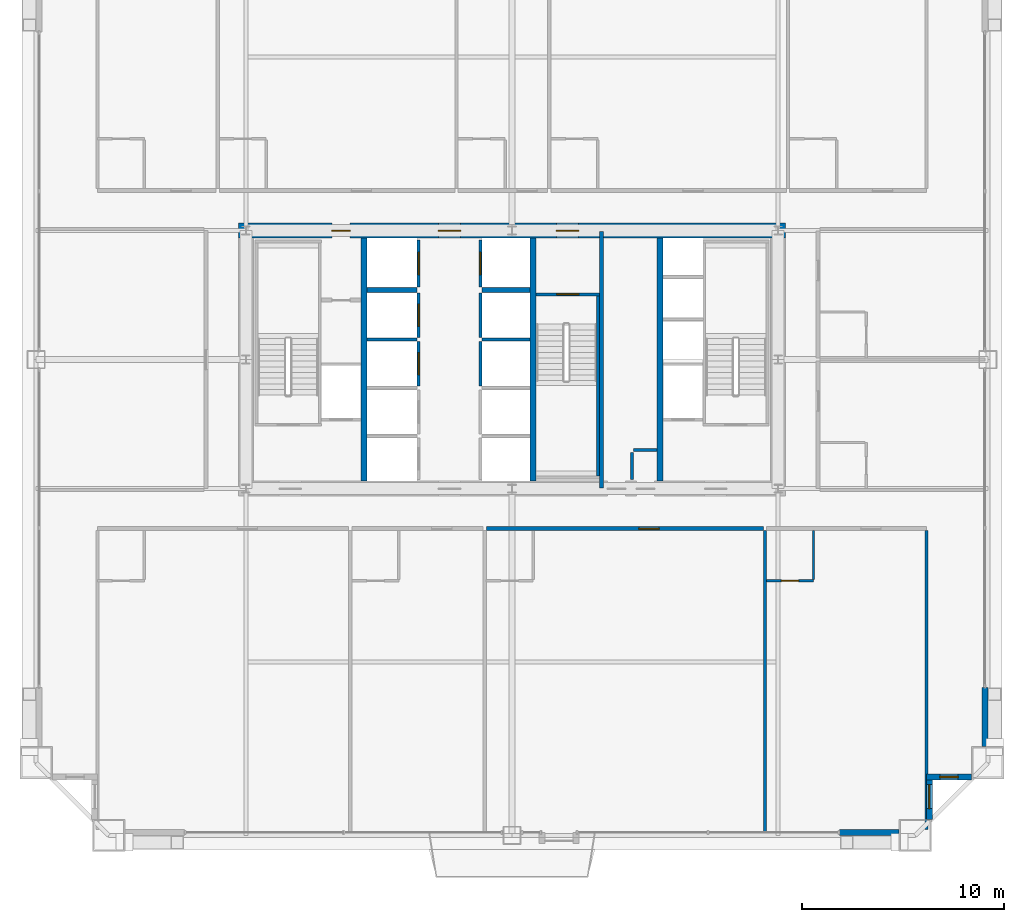
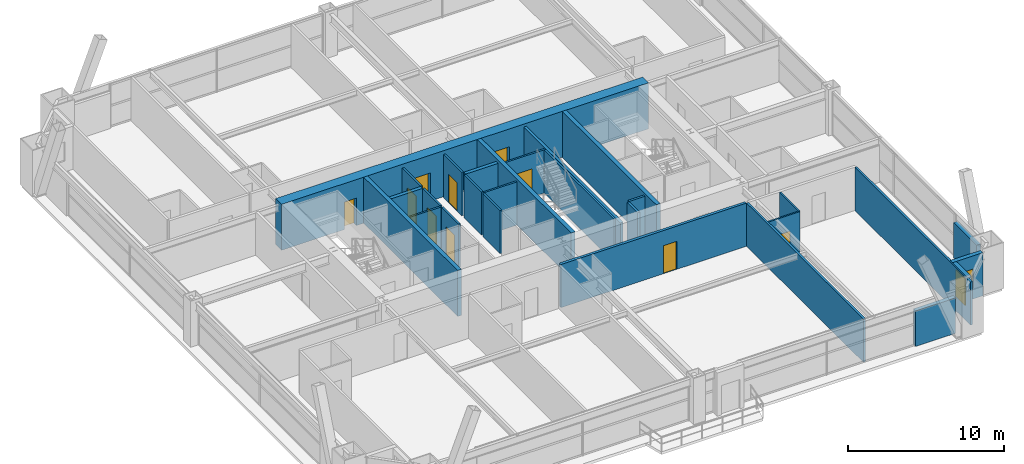
# One storey, part 38 of 41: 28 walls, 10 doors, 2 windows, 12 openings.
"""IFC4 building model written with IfcOpenShell, lengths in metres."""

from ifc_helpers import new_model, si_unit, direction, frame, frame_2d, origin, place, context, subcontext, project, spatial, rectangle, extrude, source, transform, mapped, material, layer, layer_set, type_object, element, fill, save


model = new_model("IFC4")

# Units and contexts
model_context = context("Model", 3, precision=1e-05, world=origin(), true_north=direction((0.0, 1.0)))
body_context = subcontext(model_context, "Body", "Model", "MODEL_VIEW")
ifc_project = project(units=[si_unit("LENGTHUNIT", "METRE"), si_unit("AREAUNIT", "SQUARE_METRE"), si_unit("VOLUMEUNIT", "CUBIC_METRE"), si_unit("PLANEANGLEUNIT", "RADIAN"), si_unit("MASSUNIT", "GRAM", prefix="KILO"), si_unit("THERMODYNAMICTEMPERATUREUNIT", "KELVIN"), si_unit("POWERUNIT", "WATT")], contexts=[model_context])

# Site, building, storey
site_placement = place(None, origin())
site = spatial("IfcSite", under=ifc_project, at=site_placement, CompositionType="ELEMENT")
building_placement = place(site_placement, origin())
building = spatial("IfcBuilding", under=site, at=building_placement, Name="Yuzanri Waterfront Tower", CompositionType="ELEMENT")
storey_placement = place(building_placement, frame((0.0, 0.0, 122.60009765625)))
storey = spatial("IfcBuildingStorey", under=building, at=storey_placement, Name="L32", CompositionType="ELEMENT", Elevation=122.60009765625)

# Wall, opening, door
ifc_material_1 = material(Name="Moisture-Resistant Gypsum Stud Wall", Category="gypsum")
ifc_layer_1 = layer(ifc_material_1, 0.1201171875)
ifc_layer_set_1 = layer_set([ifc_layer_1], Name="Moisture-Resistant Gypsum Stud Wall")
wall_type_1 = type_object("IfcWallType", Name="Bathroom and Kitchen Wet Partition 120", PredefinedType="PARTITIONING", material=ifc_layer_set_1)
wall_1_placement = place(storey_placement, frame((49.6220703125, 14.840087890625, 0.0), z_axis=(0.0, 0.0, 1.0), x_axis=(1.0, 0.0, 0.0)))
wall_1 = element("IfcWall", 1, at=wall_1_placement, inside=storey, type_object=wall_type_1, Name="L32 Partition UW-L32-S4-BS", PredefinedType="PARTITIONING", context=body_context, shape_type="SweptSolid", body=[
    extrude(rectangle(XDim=2.329833984375, YDim=0.1201171875, at=frame_2d((1.1650390625, 0.0))), origin(), (0.0, 0.0, 1.0), 3.3798828125),
])
opening_1_placement = place(wall_1_placement, frame((0.739990234375, 0.0, 0.0)))
opening_1 = element("IfcOpeningElement", 2, at=opening_1_placement, cuts=wall_1, Name="Opening ID-0850", PredefinedType="OPENING", context=body_context, shape_type="SweptSolid", body=[
    extrude(rectangle(XDim=0.85009765625, YDim=2.10009765625, at=frame_2d((0.425048828125, 1.050048828125))), frame((0.0, 0.074951171875, 0.0), z_axis=(0.0, -1.0, 0.0), x_axis=(1.0, 0.0, 0.0)), (0.0, 0.0, 1.0), 0.14990234375),
])
ifc_material_2 = material(Name="Moisture-Resistant Lacquered Timber", Category="wood")
door_type_1 = type_object("IfcDoorType", Name="En-Suite Bathroom and Kitchen Swing Door 850x2100", OperationType="NOTDEFINED", PredefinedType="DOOR", material=ifc_material_2)
shared_shape_1 = source(origin(), body_context, "Body", "SweptSolid", [
    extrude(rectangle(XDim=0.85009765625, YDim=2.10009765625, at=frame_2d((0.425048828125, 1.050048828125))), frame((0.0, 0.02490234375, 0.0), z_axis=(0.0, -1.0, 0.0), x_axis=(1.0, 0.0, 0.0)), (0.0, 0.0, 1.0), 0.050048828125),
])
door_1_placement = place(opening_1_placement, origin())
door_1 = element("IfcDoor", 3, at=door_1_placement, inside=storey, type_object=door_type_1, Name="L32 Guest En-Suite Door", OperationType="SINGLE_SWING_RIGHT", OverallHeight=2.10009765625, OverallWidth=0.85009765625, PredefinedType="DOOR", context=body_context, shape_type="MappedRepresentation", body=[
    mapped(shared_shape_1, transform((0.0, 0.0, 0.0), scale=1.0)),
])
fill(opening_1, door_1)

# Wall, opening, window
ifc_material_3 = material(Name="Honed Chongqing Dark Basalt Stone", Category="masonry")
ifc_layer_2 = layer(ifc_material_3, 0.300048828125)
ifc_layer_set_2 = layer_set([ifc_layer_2], Name="Honed Chongqing Dark Basalt Stone")
wall_type_2 = type_object("IfcWallType", Name="Bronze Rainscreen Insulated Spandrel Portal Wall 300", PredefinedType="SOLIDWALL", material=ifc_layer_set_2)
wall_2_placement = place(storey_placement, frame((57.550048828125, 5.10009765625, 0.0), z_axis=(0.0, 0.0, 1.0), x_axis=(1.0, 0.0, 0.0)))
wall_2 = element("IfcWall", 4, at=wall_2_placement, inside=storey, type_object=wall_type_2, Name="L32 Notched Corner Masonry Wall SE-X", PredefinedType="SOLIDWALL", context=body_context, shape_type="SweptSolid", body=[
    extrude(rectangle(XDim=2.25, YDim=0.300048828125, at=frame_2d((1.125, 0.0))), origin(), (0.0, 0.0, 1.0), 3.3798828125),
])
opening_2_placement = place(wall_2_placement, frame((0.675048828125, 0.0, 0.85009765625)))
opening_2 = element("IfcOpeningElement", 5, at=opening_2_placement, cuts=wall_2, Name="Opening WN-05", PredefinedType="OPENING", context=body_context, shape_type="SweptSolid", body=[
    extrude(rectangle(XDim=0.89990234375, YDim=1.5, at=frame_2d((0.449951171875, 0.75))), frame((0.0, 0.1650390625, 0.0), z_axis=(0.0, -1.0, 0.0), x_axis=(1.0, 0.0, 0.0)), (0.0, 0.0, 1.0), 0.329833984375),
])
ifc_material_4 = material(Name="Double-Silver Low-E Insulated Glass", Category="glass")
window_type_1 = type_object("IfcWindowType", Name="Anodized Bronze Service and Stairwell Smoke-Vent Window 900x1500", PartitioningType="SINGLE_PANEL", PredefinedType="WINDOW", material=ifc_material_4)
shared_shape_2 = source(origin(), body_context, "Body", "SweptSolid", [
    extrude(rectangle(XDim=0.89990234375, YDim=1.5, at=frame_2d((0.449951171875, 0.75))), frame((0.0, 0.030029296875, 0.0), z_axis=(0.0, -1.0, 0.0), x_axis=(1.0, 0.0, 0.0)), (0.0, 0.0, 1.0), 0.06005859375),
])
window_1_placement = place(opening_2_placement, origin())
window_1 = element("IfcWindow", 6, at=window_1_placement, inside=storey, type_object=window_type_1, Name="L32 Notched Corner Window SE-X", OverallHeight=1.5, OverallWidth=0.89990234375, PartitioningType="SINGLE_PANEL", PredefinedType="WINDOW", context=body_context, shape_type="MappedRepresentation", body=[
    mapped(shared_shape_2, transform((0.0, 0.0, 0.0), scale=1.0)),
])
fill(opening_2, window_1)

wall_3_placement = place(storey_placement, frame((57.699951171875, 3.0, 0.0), z_axis=(0.0, 0.0, 1.0), x_axis=(0.0, 1.0, 0.0)))
wall_3 = element("IfcWall", 7, at=wall_3_placement, inside=storey, type_object=wall_type_2, Name="L32 Notched Corner Masonry Wall SE-Y", PredefinedType="SOLIDWALL", context=body_context, shape_type="SweptSolid", body=[
    extrude(rectangle(XDim=2.25, YDim=0.300048828125, at=frame_2d((1.125, 0.0))), origin(), (0.0, 0.0, 1.0), 3.3798828125),
])
opening_3_placement = place(wall_3_placement, frame((0.52490234375, 0.0, 0.85009765625)))
opening_3 = element("IfcOpeningElement", 8, at=opening_3_placement, cuts=wall_3, Name="Opening WN-02", PredefinedType="OPENING", context=body_context, shape_type="SweptSolid", body=[
    extrude(rectangle(XDim=1.199951171875, YDim=2.10009765625, at=frame_2d((0.60009765625, 1.050048828125))), frame((0.0, 0.1650390625, 0.0), z_axis=(0.0, -1.0, 0.0), x_axis=(1.0, 0.0, 0.0)), (0.0, 0.0, 1.0), 0.329833984375),
])
ifc_material_5 = material(Name="Double-Silver Low-E Insulated Glass", Category="glass")
window_type_2 = type_object("IfcWindowType", Name="Anodized Bronze Notched Corner Deep-Set Slot Window 1200x2100", PartitioningType="SINGLE_PANEL", PredefinedType="WINDOW", material=ifc_material_5)
shared_shape_3 = source(origin(), body_context, "Body", "SweptSolid", [
    extrude(rectangle(XDim=1.199951171875, YDim=2.10009765625, at=frame_2d((0.60009765625, 1.050048828125))), frame((0.0, 0.030029296875, 0.0), z_axis=(0.0, -1.0, 0.0), x_axis=(1.0, 0.0, 0.0)), (0.0, 0.0, 1.0), 0.06005859375),
])
window_2_placement = place(opening_3_placement, origin())
window_2 = element("IfcWindow", 9, at=window_2_placement, inside=storey, type_object=window_type_2, Name="L32 Notched Corner Window SE-Y", OverallHeight=2.10009765625, OverallWidth=1.199951171875, PartitioningType="SINGLE_PANEL", PredefinedType="WINDOW", context=body_context, shape_type="MappedRepresentation", body=[
    mapped(shared_shape_3, transform((0.0, 0.0, 0.0), scale=1.0)),
])
fill(opening_3, window_2)

# Wall, openings, doors
ifc_material_6 = material(Name="Concrete C55", Category="concrete")
ifc_layer_3 = layer(ifc_material_6, 0.75)
ifc_layer_set_3 = layer_set([ifc_layer_3], Name="Concrete C55")
wall_type_3 = type_object("IfcWallType", Name="Concrete C55 Low-Mid Zone Core Shear Wall 750", PredefinedType="SHEAR", material=ifc_layer_set_3)
wall_4_placement = place(storey_placement, frame((23.425048828125, 32.199951171875, 0.0), z_axis=(0.0, 0.0, 1.0), x_axis=(1.0, 0.0, 0.0)))
wall_4 = element("IfcWall", 10, at=wall_4_placement, inside=storey, type_object=wall_type_3, Name="L32 Core North Shear Wall", PredefinedType="SHEAR", context=body_context, shape_type="SweptSolid", body=[
    extrude(rectangle(XDim=27.14990234375, YDim=0.75, at=frame_2d((13.574951171875, 0.0))), origin(), (0.0, 0.0, 1.0), 3.599853515625),
])
opening_4_placement = place(wall_4_placement, frame((4.64501953125, 0.0, 0.0)))
opening_4 = element("IfcOpeningElement", 11, at=opening_4_placement, cuts=wall_4, Name="Opening FD-0900", PredefinedType="OPENING", context=body_context, shape_type="SweptSolid", body=[
    extrude(rectangle(XDim=0.89990234375, YDim=2.14990234375, at=frame_2d((0.449951171875, 1.074951171875))), frame((0.0, 0.389892578125, 0.0), z_axis=(0.0, -1.0, 0.0), x_axis=(1.0, 0.0, 0.0)), (0.0, 0.0, 1.0), 0.77978515625),
])
opening_5_placement = place(wall_4_placement, frame((9.925048828125, 0.0, 0.0)))
opening_5 = element("IfcOpeningElement", 12, at=opening_5_placement, cuts=wall_4, Name="Opening FD-1100", PredefinedType="OPENING", context=body_context, shape_type="SweptSolid", body=[
    extrude(rectangle(XDim=1.10009765625, YDim=2.199951171875, at=frame_2d((0.550048828125, 1.10009765625))), frame((0.0, 0.389892578125, 0.0), z_axis=(0.0, -1.0, 0.0), x_axis=(1.0, 0.0, 0.0)), (0.0, 0.0, 1.0), 0.77978515625),
])
opening_6_placement = place(wall_4_placement, frame((15.77490234375, 0.0, 0.0)))
opening_6 = element("IfcOpeningElement", 13, at=opening_6_placement, cuts=wall_4, Name="Opening FD-1100", PredefinedType="OPENING", context=body_context, shape_type="SweptSolid", body=[
    extrude(rectangle(XDim=1.10009765625, YDim=2.199951171875, at=frame_2d((0.550048828125, 1.10009765625))), frame((0.0, 0.389892578125, 0.0), z_axis=(0.0, -1.0, 0.0), x_axis=(1.0, 0.0, 0.0)), (0.0, 0.0, 1.0), 0.77978515625),
])
ifc_material_7 = material(Name="Painted Galvanized Fire Steel", Category="steel")
door_type_2 = type_object("IfcDoorType", Name="Smoke-Proof Stair and Lobby Fire Door 1100x2200", OperationType="NOTDEFINED", PredefinedType="DOOR", material=ifc_material_7)
shared_shape_4 = source(origin(), body_context, "Body", "SweptSolid", [
    extrude(rectangle(XDim=1.10009765625, YDim=2.199951171875, at=frame_2d((0.550048828125, 1.10009765625))), frame((0.0, 0.02490234375, 0.0), z_axis=(0.0, -1.0, 0.0), x_axis=(1.0, 0.0, 0.0)), (0.0, 0.0, 1.0), 0.050048828125),
])
door_2_placement = place(opening_5_placement, origin())
door_2 = element("IfcDoor", 14, at=door_2_placement, inside=storey, type_object=door_type_2, Name="L32 Central Lift Lobby North Door", OperationType="SINGLE_SWING_RIGHT", OverallHeight=2.199951171875, OverallWidth=1.10009765625, PredefinedType="DOOR", context=body_context, shape_type="MappedRepresentation", body=[
    mapped(shared_shape_4, transform((0.0, 0.0, 0.0), scale=1.0)),
])
fill(opening_5, door_2)
door_3_placement = place(opening_6_placement, origin())
door_3 = element("IfcDoor", 15, at=door_3_placement, inside=storey, type_object=door_type_2, Name="L32 North Stair Lobby Door", OperationType="SINGLE_SWING_LEFT", OverallHeight=2.199951171875, OverallWidth=1.10009765625, PredefinedType="DOOR", context=body_context, shape_type="MappedRepresentation", body=[
    mapped(shared_shape_4, transform((0.0, 0.0, 0.0), scale=1.0)),
])
fill(opening_6, door_3)
ifc_material_8 = material(Name="Painted Galvanized Fire Steel", Category="steel")
door_type_3 = type_object("IfcDoorType", Name="Riser and Service Room Fire Door 900x2150", OperationType="NOTDEFINED", PredefinedType="DOOR", material=ifc_material_8)
shared_shape_5 = source(origin(), body_context, "Body", "SweptSolid", [
    extrude(rectangle(XDim=0.89990234375, YDim=2.14990234375, at=frame_2d((0.449951171875, 1.074951171875))), frame((0.0, 0.02490234375, 0.0), z_axis=(0.0, -1.0, 0.0), x_axis=(1.0, 0.0, 0.0)), (0.0, 0.0, 1.0), 0.050048828125),
])
door_4_placement = place(opening_4_placement, origin())
door_4 = element("IfcDoor", 16, at=door_4_placement, inside=storey, type_object=door_type_3, Name="L32 Telecom Riser Door", OperationType="SINGLE_SWING_LEFT", OverallHeight=2.14990234375, OverallWidth=0.89990234375, PredefinedType="DOOR", context=body_context, shape_type="MappedRepresentation", body=[
    mapped(shared_shape_5, transform((0.0, 0.0, 0.0), scale=1.0)),
])
fill(opening_4, door_4)

# Wall, opening, door
ifc_material_9 = material(Name="Concrete C40", Category="concrete")
ifc_layer_4 = layer(ifc_material_9, 0.139892578125)
ifc_layer_set_4 = layer_set([ifc_layer_4], Name="Concrete C40")
wall_type_4 = type_object("IfcWallType", Name="Core Stair Liner and Hoistway Shaft Wall 140", PredefinedType="SOLIDWALL", material=ifc_layer_set_4)
wall_5_placement = place(storey_placement, frame((32.3701171875, 24.5, 0.0), z_axis=(0.0, 0.0, 1.0), x_axis=(0.0, 1.0, 0.0)))
wall_5 = element("IfcWall", 17, at=wall_5_placement, inside=storey, type_object=wall_type_4, Name="L32 Lift PL-03 Front Shaft Wall", PredefinedType="SOLIDWALL", context=body_context, shape_type="SweptSolid", body=[
    extrude(rectangle(XDim=2.199951171875, YDim=0.139892578125, at=frame_2d((1.10009765625, 0.0))), origin(), (0.0, 0.0, 1.0), 3.3798828125),
])
opening_7_placement = place(wall_5_placement, frame((0.550048828125, 0.0, 0.0)))
opening_7 = element("IfcOpeningElement", 18, at=opening_7_placement, cuts=wall_5, Name="Opening LD-PL-03", PredefinedType="OPENING", context=body_context, shape_type="SweptSolid", body=[
    extrude(rectangle(XDim=1.10009765625, YDim=2.199951171875, at=frame_2d((0.550048828125, 1.10009765625))), frame((0.0, 0.0849609375, 0.0), z_axis=(0.0, -1.0, 0.0), x_axis=(1.0, 0.0, 0.0)), (0.0, 0.0, 1.0), 0.169677734375),
])
ifc_material_10 = material(Name="Brushed Bronze and Stainless Steel Cab", Category="steel")
door_type_4 = type_object("IfcDoorType", Name="Center-Parting Bronze Lift Landing Sliding Door 1100x2200", OperationType="NOTDEFINED", PredefinedType="DOOR", material=ifc_material_10)
shared_shape_6 = source(origin(), body_context, "Body", "SweptSolid", [
    extrude(rectangle(XDim=1.10009765625, YDim=2.199951171875, at=frame_2d((0.550048828125, 1.10009765625))), frame((0.0, 0.02490234375, 0.0), z_axis=(0.0, -1.0, 0.0), x_axis=(1.0, 0.0, 0.0)), (0.0, 0.0, 1.0), 0.050048828125),
])
door_5_placement = place(opening_7_placement, origin())
door_5 = element("IfcDoor", 19, at=door_5_placement, inside=storey, type_object=door_type_4, Name="L32 PL-03 Lift Landing Sliding Door", OperationType="SLIDING_TO_LEFT", OverallHeight=2.199951171875, OverallWidth=1.10009765625, PredefinedType="DOOR", context=body_context, shape_type="MappedRepresentation", body=[
    mapped(shared_shape_6, transform((0.0, 0.0, 0.0), scale=1.0)),
])
fill(opening_7, door_5)

wall_6_placement = place(storey_placement, frame((32.3701171875, 26.89990234375, 0.0), z_axis=(0.0, 0.0, 1.0), x_axis=(0.0, 1.0, 0.0)))
wall_6 = element("IfcWall", 20, at=wall_6_placement, inside=storey, type_object=wall_type_4, Name="L32 Lift PL-04 Front Shaft Wall", PredefinedType="SOLIDWALL", context=body_context, shape_type="SweptSolid", body=[
    extrude(rectangle(XDim=2.2001953125, YDim=0.139892578125, at=frame_2d((1.10009765625, 0.0))), origin(), (0.0, 0.0, 1.0), 3.3798828125),
])
opening_8_placement = place(wall_6_placement, frame((0.550048828125, 0.0, 0.0)))
opening_8 = element("IfcOpeningElement", 21, at=opening_8_placement, cuts=wall_6, Name="Opening LD-PL-04", PredefinedType="OPENING", context=body_context, shape_type="SweptSolid", body=[
    extrude(rectangle(XDim=1.10009765625, YDim=2.199951171875, at=frame_2d((0.550048828125, 1.10009765625))), frame((0.0, 0.0849609375, 0.0), z_axis=(0.0, -1.0, 0.0), x_axis=(1.0, 0.0, 0.0)), (0.0, 0.0, 1.0), 0.169677734375),
])
door_6_placement = place(opening_8_placement, origin())
door_6 = element("IfcDoor", 22, at=door_6_placement, inside=storey, type_object=door_type_4, Name="L32 PL-04 Lift Landing Sliding Door", OperationType="SLIDING_TO_RIGHT", OverallHeight=2.199951171875, OverallWidth=1.10009765625, PredefinedType="DOOR", context=body_context, shape_type="MappedRepresentation", body=[
    mapped(shared_shape_6, transform((0.0, 0.0, 0.0), scale=1.0)),
])
fill(opening_8, door_6)

wall_7_placement = place(storey_placement, frame((32.3701171875, 29.39990234375, 0.0), z_axis=(0.0, 0.0, 1.0), x_axis=(0.0, 1.0, 0.0)))
wall_7 = element("IfcWall", 23, at=wall_7_placement, inside=storey, type_object=wall_type_4, Name="L32 Lift SL-01 Front Shaft Wall", PredefinedType="SOLIDWALL", context=body_context, shape_type="SweptSolid", body=[
    extrude(rectangle(XDim=2.340087890625, YDim=0.139892578125, at=frame_2d((1.169921875, 0.0))), origin(), (0.0, 0.0, 1.0), 3.3798828125),
])
opening_9_placement = place(wall_7_placement, frame((0.6201171875, 0.0, 0.0)))
opening_9 = element("IfcOpeningElement", 24, at=opening_9_placement, cuts=wall_7, Name="Opening LD-SL-01", PredefinedType="OPENING", context=body_context, shape_type="SweptSolid", body=[
    extrude(rectangle(XDim=1.10009765625, YDim=2.199951171875, at=frame_2d((0.550048828125, 1.10009765625))), frame((0.0, 0.0849609375, 0.0), z_axis=(0.0, -1.0, 0.0), x_axis=(1.0, 0.0, 0.0)), (0.0, 0.0, 1.0), 0.169677734375),
])
door_7_placement = place(opening_9_placement, origin())
door_7 = element("IfcDoor", 25, at=door_7_placement, inside=storey, type_object=door_type_4, Name="L32 SL-01 Lift Landing Sliding Door", OperationType="SLIDING_TO_LEFT", OverallHeight=2.199951171875, OverallWidth=1.10009765625, PredefinedType="DOOR", context=body_context, shape_type="MappedRepresentation", body=[
    mapped(shared_shape_6, transform((0.0, 0.0, 0.0), scale=1.0)),
])
fill(opening_9, door_7)

wall_8_placement = place(storey_placement, frame((35.429931640625, 29.39990234375, 0.0), z_axis=(0.0, 0.0, 1.0), x_axis=(0.0, 1.0, 0.0)))
wall_8 = element("IfcWall", 26, at=wall_8_placement, inside=storey, type_object=wall_type_4, Name="L32 Lift SL-02 Front Shaft Wall", PredefinedType="SOLIDWALL", context=body_context, shape_type="SweptSolid", body=[
    extrude(rectangle(XDim=2.340087890625, YDim=0.139892578125, at=frame_2d((1.169921875, 0.0))), origin(), (0.0, 0.0, 1.0), 3.3798828125),
])
opening_10_placement = place(wall_8_placement, frame((0.6201171875, 0.0, 0.0)))
opening_10 = element("IfcOpeningElement", 27, at=opening_10_placement, cuts=wall_8, Name="Opening LD-SL-02", PredefinedType="OPENING", context=body_context, shape_type="SweptSolid", body=[
    extrude(rectangle(XDim=1.10009765625, YDim=2.199951171875, at=frame_2d((0.550048828125, 1.10009765625))), frame((0.0, 0.0849609375, 0.0), z_axis=(0.0, -1.0, 0.0), x_axis=(1.0, 0.0, 0.0)), (0.0, 0.0, 1.0), 0.169677734375),
])
door_8_placement = place(opening_10_placement, origin())
door_8 = element("IfcDoor", 28, at=door_8_placement, inside=storey, type_object=door_type_4, Name="L32 SL-02 Lift Landing Sliding Door", OperationType="SLIDING_TO_RIGHT", OverallHeight=2.199951171875, OverallWidth=1.10009765625, PredefinedType="DOOR", context=body_context, shape_type="MappedRepresentation", body=[
    mapped(shared_shape_6, transform((0.0, 0.0, 0.0), scale=1.0)),
])
fill(opening_10, door_8)

wall_9_placement = place(storey_placement, frame((38.199951171875, 29.030029296875, 0.0), z_axis=(0.0, 0.0, 1.0), x_axis=(1.0, 0.0, 0.0)))
wall_9 = element("IfcWall", 29, at=wall_9_placement, inside=storey, type_object=wall_type_4, Name="L32 Shaft Wall STW-L32-ST-03-N", PredefinedType="SOLIDWALL", context=body_context, shape_type="SweptSolid", body=[
    extrude(rectangle(XDim=3.14013671875, YDim=0.139892578125, at=frame_2d((1.570068359375, 0.0))), origin(), (0.0, 0.0, 1.0), 3.3798828125),
])
opening_11_placement = place(wall_9_placement, frame((1.02001953125, 0.0, 0.0)))
opening_11 = element("IfcOpeningElement", 30, at=opening_11_placement, cuts=wall_9, Name="Opening FD-1100", PredefinedType="OPENING", context=body_context, shape_type="SweptSolid", body=[
    extrude(rectangle(XDim=1.10009765625, YDim=2.199951171875, at=frame_2d((0.550048828125, 1.10009765625))), frame((0.0, 0.0849609375, 0.0), z_axis=(0.0, -1.0, 0.0), x_axis=(1.0, 0.0, 0.0)), (0.0, 0.0, 1.0), 0.169677734375),
])
door_9_placement = place(opening_11_placement, origin())
door_9 = element("IfcDoor", 31, at=door_9_placement, inside=storey, type_object=door_type_2, Name="L32 Stair ST-03 Fire Door", OperationType="SINGLE_SWING_LEFT", OverallHeight=2.199951171875, OverallWidth=1.10009765625, PredefinedType="DOOR", context=body_context, shape_type="MappedRepresentation", body=[
    mapped(shared_shape_4, transform((0.0, 0.0, 0.0), scale=1.0)),
])
fill(opening_11, door_9)

ifc_material_11 = material(Name="Autoclaved Aerated Concrete Blockwork", Category="masonry")
ifc_layer_5 = layer(ifc_material_11, 0.199951171875)
ifc_layer_set_5 = layer_set([ifc_layer_5], Name="Autoclaved Aerated Concrete Blockwork")
wall_type_5 = type_object("IfcWallType", Name="Corridor and Unit Party Fire Wall 200", PredefinedType="PARTITIONING", material=ifc_layer_set_5)
wall_10_placement = place(storey_placement, frame((35.722900390625, 17.419921875, 0.0), z_axis=(0.0, 0.0, 1.0), x_axis=(1.0, 0.0, 0.0)))
wall_10 = element("IfcWall", 32, at=wall_10_placement, inside=storey, type_object=wall_type_5, Name="L32 Partition UW-L32-S3-CN", PredefinedType="PARTITIONING", context=body_context, shape_type="SweptSolid", body=[
    extrude(rectangle(XDim=13.739013671875, YDim=0.199951171875, at=frame_2d((6.86962890625, 0.0))), origin(), (0.0, 0.0, 1.0), 3.3798828125),
])
opening_12_placement = place(wall_10_placement, frame((7.573974609375, 0.0, 0.0)))
opening_12 = element("IfcOpeningElement", 33, at=opening_12_placement, cuts=wall_10, Name="Opening FD-1000", PredefinedType="OPENING", context=body_context, shape_type="SweptSolid", body=[
    extrude(rectangle(XDim=1.0, YDim=2.199951171875, at=frame_2d((0.5, 1.10009765625))), frame((0.0, 0.11474609375, 0.0), z_axis=(0.0, -1.0, 0.0), x_axis=(1.0, 0.0, 0.0)), (0.0, 0.0, 1.0), 0.229736328125),
])
ifc_material_12 = material(Name="Engineered Oak Fire-Rated Timber", Category="wood")
door_type_5 = type_object("IfcDoorType", Name="Guestroom and Apartment Entrance Fire Door 1000x2200", OperationType="NOTDEFINED", PredefinedType="DOOR", material=ifc_material_12)
shared_shape_7 = source(origin(), body_context, "Body", "SweptSolid", [
    extrude(rectangle(XDim=1.0, YDim=2.199951171875, at=frame_2d((0.5, 1.10009765625))), frame((0.0, 0.02490234375, 0.0), z_axis=(0.0, -1.0, 0.0), x_axis=(1.0, 0.0, 0.0)), (0.0, 0.0, 1.0), 0.050048828125),
])
door_10_placement = place(opening_12_placement, origin())
door_10 = element("IfcDoor", 34, at=door_10_placement, inside=storey, type_object=door_type_5, Name="L32 Presidential Riverfront Suite Entrance Door", OperationType="SINGLE_SWING_LEFT", OverallHeight=2.199951171875, OverallWidth=1.0, PredefinedType="DOOR", context=body_context, shape_type="MappedRepresentation", body=[
    mapped(shared_shape_7, transform((0.0, 0.0, 0.0), scale=1.0)),
])
fill(opening_12, door_10)

# Walls
ifc_material_13 = material(Name="Concrete C50", Category="concrete")
ifc_layer_6 = layer(ifc_material_13, 0.300048828125)
ifc_layer_set_6 = layer_set([ifc_layer_6], Name="Concrete C50")
wall_type_6 = type_object("IfcWallType", Name="Concrete C50 Internal Core Shaft Structural Wall 300", PredefinedType="SOLIDWALL", material=ifc_layer_set_6)
shared_shape_8 = source(origin(), body_context, "Body", "SweptSolid", [
    extrude(rectangle(XDim=12.050048828125, YDim=0.300048828125, at=frame_2d((6.02490234375, 0.0))), origin(), (0.0, 0.0, 1.0), 3.599853515625),
])
for number, where, z_axis, x_axis, name in (
    (35, (29.64990234375, 19.77490234375, 0.0), (0.0, 0.0, 1.0), (0.0, 1.0, 0.0), "L32 Core Internal Structural Web Wall 1"),
    (36, (38.050048828125, 19.77490234375, 0.0), (0.0, 0.0, 1.0), (0.0, 1.0, 0.0), "L32 Core Internal Structural Web Wall 2"),
    (37, (44.35009765625, 19.77490234375, 0.0), (0.0, 0.0, 1.0), (0.0, 1.0, 0.0), "L32 Core Internal Structural Web Wall 3"),
):
    element("IfcWall", number, at=place(storey_placement, frame(where, z_axis=z_axis, x_axis=x_axis)), inside=storey, type_object=wall_type_6, Name=name, PredefinedType="SOLIDWALL", context=body_context, shape_type="MappedRepresentation", body=[
        mapped(shared_shape_8, transform((0.0, 0.0, 0.0), scale=1.0)),
    ])
shared_shape_9 = source(origin(), body_context, "Body", "SweptSolid", [
    extrude(rectangle(XDim=2.949951171875, YDim=0.300048828125, at=frame_2d((1.47509765625, 0.0))), origin(), (0.0, 0.0, 1.0), 2.77490234375),
])
for number, where, z_axis, x_axis, name in (
    (38, (53.25, 2.35009765625, 0.0), (0.0, 0.0, 1.0), (1.0, 0.0, 0.0), "L32 S Right Braced Masonry Shoulder"),
    (39, (60.449951171875, 6.60009765625, 0.0), (0.0, 0.0, 1.0), (0.0, 1.0, 0.0), "L32 E Left Braced Masonry Shoulder"),
):
    element("IfcWall", number, at=place(storey_placement, frame(where, z_axis=z_axis, x_axis=x_axis)), inside=storey, type_object=wall_type_2, Name=name, PredefinedType="SOLIDWALL", context=body_context, shape_type="MappedRepresentation", body=[
        mapped(shared_shape_9, transform((0.0, 0.0, 0.0), scale=1.0)),
    ])
shared_shape_10 = source(origin(), body_context, "Body", "SweptSolid", [
    extrude(rectangle(XDim=2.5, YDim=0.139892578125, at=frame_2d((1.25, 0.0))), origin(), (0.0, 0.0, 1.0), 3.3798828125),
])
wall_11_placement = place(storey_placement, frame((29.800048828125, 26.800048828125, 0.0), z_axis=(0.0, 0.0, 1.0), x_axis=(1.0, 0.0, 0.0)))
element("IfcWall", 40, at=wall_11_placement, inside=storey, type_object=wall_type_4, Name="L32 Lift PL-03 Divider Wall", PredefinedType="SOLIDWALL", context=body_context, shape_type="MappedRepresentation", body=[
    mapped(shared_shape_10, transform((0.0, 0.0, 0.0), scale=1.0)),
])
ifc_material_14 = material(Name="Concrete C40", Category="concrete")
ifc_layer_7 = layer(ifc_material_14, 0.25)
ifc_layer_set_7 = layer_set([ifc_layer_7], Name="Concrete C40")
wall_type_7 = type_object("IfcWallType", Name="Smoke-Proof Stair and Lift Shaft Wall 250", PredefinedType="SOLIDWALL", material=ifc_layer_set_7)
shared_shape_11 = source(origin(), body_context, "Body", "SweptSolid", [
    extrude(rectangle(XDim=2.5, YDim=0.25, at=frame_2d((1.25, 0.0))), origin(), (0.0, 0.0, 1.0), 3.3798828125),
])
wall_12_placement = place(storey_placement, frame((29.800048828125, 29.25, 0.0), z_axis=(0.0, 0.0, 1.0), x_axis=(1.0, 0.0, 0.0)))
element("IfcWall", 41, at=wall_12_placement, inside=storey, type_object=wall_type_7, Name="L32 Lift SL-01 South Shaft Wall", PredefinedType="SOLIDWALL", context=body_context, shape_type="MappedRepresentation", body=[
    mapped(shared_shape_11, transform((0.0, 0.0, 0.0), scale=1.0)),
])
shared_shape_12 = source(origin(), body_context, "Body", "SweptSolid", [
    extrude(rectangle(XDim=2.39990234375, YDim=0.139892578125, at=frame_2d((1.199951171875, 0.0))), origin(), (0.0, 0.0, 1.0), 3.3798828125),
])
wall_13_placement = place(storey_placement, frame((35.5, 26.800048828125, 0.0), z_axis=(0.0, 0.0, 1.0), x_axis=(1.0, 0.0, 0.0)))
element("IfcWall", 42, at=wall_13_placement, inside=storey, type_object=wall_type_4, Name="L32 Lift PL-07 Divider Wall", PredefinedType="SOLIDWALL", context=body_context, shape_type="MappedRepresentation", body=[
    mapped(shared_shape_12, transform((0.0, 0.0, 0.0), scale=1.0)),
])
shared_shape_13 = source(origin(), body_context, "Body", "SweptSolid", [
    extrude(rectangle(XDim=2.199951171875, YDim=0.139892578125, at=frame_2d((1.10009765625, 0.0))), origin(), (0.0, 0.0, 1.0), 3.3798828125),
])
wall_14_placement = place(storey_placement, frame((35.429931640625, 24.5, 0.0), z_axis=(0.0, 0.0, 1.0), x_axis=(0.0, 1.0, 0.0)))
element("IfcWall", 43, at=wall_14_placement, inside=storey, type_object=wall_type_4, Name="L32 Lift PL-07 Front Shaft Wall", PredefinedType="SOLIDWALL", context=body_context, shape_type="MappedRepresentation", body=[
    mapped(shared_shape_13, transform((0.0, 0.0, 0.0), scale=1.0)),
])
shared_shape_14 = source(origin(), body_context, "Body", "SweptSolid", [
    extrude(rectangle(XDim=2.2001953125, YDim=0.139892578125, at=frame_2d((1.10009765625, 0.0))), origin(), (0.0, 0.0, 1.0), 3.3798828125),
])
wall_15_placement = place(storey_placement, frame((35.429931640625, 26.89990234375, 0.0), z_axis=(0.0, 0.0, 1.0), x_axis=(0.0, 1.0, 0.0)))
element("IfcWall", 44, at=wall_15_placement, inside=storey, type_object=wall_type_4, Name="L32 Lift PL-08 Front Shaft Wall", PredefinedType="SOLIDWALL", context=body_context, shape_type="MappedRepresentation", body=[
    mapped(shared_shape_14, transform((0.0, 0.0, 0.0), scale=1.0)),
])
shared_shape_15 = source(origin(), body_context, "Body", "SweptSolid", [
    extrude(rectangle(XDim=2.39990234375, YDim=0.25, at=frame_2d((1.199951171875, 0.0))), origin(), (0.0, 0.0, 1.0), 3.3798828125),
])
wall_16_placement = place(storey_placement, frame((35.5, 29.25, 0.0), z_axis=(0.0, 0.0, 1.0), x_axis=(1.0, 0.0, 0.0)))
element("IfcWall", 45, at=wall_16_placement, inside=storey, type_object=wall_type_7, Name="L32 Lift SL-02 South Shaft Wall", PredefinedType="SOLIDWALL", context=body_context, shape_type="MappedRepresentation", body=[
    mapped(shared_shape_15, transform((0.0, 0.0, 0.0), scale=1.0)),
])
shared_shape_16 = source(origin(), body_context, "Body", "SweptSolid", [
    extrude(rectangle(XDim=8.93994140625, YDim=0.139892578125, at=frame_2d((4.469970703125, 0.0))), origin(), (0.0, 0.0, 1.0), 3.3798828125),
])
wall_17_placement = place(storey_placement, frame((41.27001953125, 20.02001953125, 0.0), z_axis=(0.0, 0.0, 1.0), x_axis=(0.0, 1.0, 0.0)))
element("IfcWall", 46, at=wall_17_placement, inside=storey, type_object=wall_type_4, Name="L32 Stair ST-03 East Shaft Wall", PredefinedType="SOLIDWALL", context=body_context, shape_type="MappedRepresentation", body=[
    mapped(shared_shape_16, transform((0.0, 0.0, 0.0), scale=1.0)),
])
ifc_material_15 = material(Name="Gypsum Fireboard Acoustic Stud Wall", Category="gypsum")
ifc_layer_8 = layer(ifc_material_15, 0.159912109375)
ifc_layer_set_8 = layer_set([ifc_layer_8], Name="Gypsum Fireboard Acoustic Stud Wall")
wall_type_8 = type_object("IfcWallType", Name="Acoustic Suite Demising Partition 160", PredefinedType="PARTITIONING", material=ifc_layer_set_8)
shared_shape_17 = source(origin(), body_context, "Body", "SweptSolid", [
    extrude(rectangle(XDim=1.33984375, YDim=0.159912109375, at=frame_2d((0.669921875, 0.0))), origin(), (0.0, 0.0, 1.0), 3.3798828125),
])
wall_18_placement = place(storey_placement, frame((42.949951171875, 19.860107421875, 0.0), z_axis=(0.0, 0.0, 1.0), x_axis=(0.0, 1.0, 0.0)))
element("IfcWall", 47, at=wall_18_placement, inside=storey, type_object=wall_type_8, Name="L32 East Wet Riser West Wall", PredefinedType="PARTITIONING", context=body_context, shape_type="MappedRepresentation", body=[
    mapped(shared_shape_17, transform((0.0, 0.0, 0.0), scale=1.0)),
])
shared_shape_18 = source(origin(), body_context, "Body", "SweptSolid", [
    extrude(rectangle(XDim=1.169921875, YDim=0.159912109375, at=frame_2d((0.5849609375, 0.0))), origin(), (0.0, 0.0, 1.0), 3.3798828125),
])
wall_19_placement = place(storey_placement, frame((43.030029296875, 21.320068359375, 0.0), z_axis=(0.0, 0.0, 1.0), x_axis=(1.0, 0.0, 0.0)))
element("IfcWall", 48, at=wall_19_placement, inside=storey, type_object=wall_type_8, Name="L32 East Wet Riser North Wall", PredefinedType="PARTITIONING", context=body_context, shape_type="MappedRepresentation", body=[
    mapped(shared_shape_18, transform((0.0, 0.0, 0.0), scale=1.0)),
])
shared_shape_19 = source(origin(), body_context, "Body", "SweptSolid", [
    extrude(rectangle(XDim=12.719970703125, YDim=0.199951171875, at=frame_2d((6.35986328125, 0.0))), origin(), (0.0, 0.0, 1.0), 3.3798828125),
])
wall_20_placement = place(storey_placement, frame((41.449951171875, 19.43994140625, 0.0), z_axis=(0.0, 0.0, 1.0), x_axis=(0.0, 1.0, 0.0)))
element("IfcWall", 49, at=wall_20_placement, inside=storey, type_object=wall_type_5, Name="L32 Core BOH West Wall 1", PredefinedType="PARTITIONING", context=body_context, shape_type="MappedRepresentation", body=[
    mapped(shared_shape_19, transform((0.0, 0.0, 0.0), scale=1.0)),
])
shared_shape_20 = source(origin(), body_context, "Body", "SweptSolid", [
    extrude(rectangle(XDim=2.420166015625, YDim=0.1201171875, at=frame_2d((1.2099609375, 0.0))), origin(), (0.0, 0.0, 1.0), 3.3798828125),
])
wall_21_placement = place(storey_placement, frame((51.951904296875, 14.89990234375, 0.0), z_axis=(0.0, 0.0, 1.0), x_axis=(0.0, 1.0, 0.0)))
element("IfcWall", 50, at=wall_21_placement, inside=storey, type_object=wall_type_1, Name="L32-S4 En-Suite Side Wall", PredefinedType="PARTITIONING", context=body_context, shape_type="MappedRepresentation", body=[
    mapped(shared_shape_20, transform((0.0, 0.0, 0.0), scale=1.0)),
])
shared_shape_21 = source(origin(), body_context, "Body", "SweptSolid", [
    extrude(rectangle(XDim=14.969970703125, YDim=0.159912109375, at=frame_2d((7.48486328125, 0.0))), origin(), (0.0, 0.0, 1.0), 3.3798828125),
])
wall_22_placement = place(storey_placement, frame((49.5419921875, 2.35009765625, 0.0), z_axis=(0.0, 0.0, 1.0), x_axis=(0.0, 1.0, 0.0)))
element("IfcWall", 51, at=wall_22_placement, inside=storey, type_object=wall_type_8, Name="L32-S3 Party Wall", PredefinedType="PARTITIONING", context=body_context, shape_type="MappedRepresentation", body=[
    mapped(shared_shape_21, transform((0.0, 0.0, 0.0), scale=1.0)),
])
shared_shape_22 = source(origin(), body_context, "Body", "SweptSolid", [
    extrude(rectangle(XDim=14.820068359375, YDim=0.159912109375, at=frame_2d((7.41015625, 0.0))), origin(), (0.0, 0.0, 1.0), 3.3798828125),
])
wall_23_placement = place(storey_placement, frame((57.550048828125, 2.5, 0.0), z_axis=(0.0, 0.0, 1.0), x_axis=(0.0, 1.0, 0.0)))
element("IfcWall", 52, at=wall_23_placement, inside=storey, type_object=wall_type_8, Name="L32 South Band East End Wall", PredefinedType="PARTITIONING", context=body_context, shape_type="MappedRepresentation", body=[
    mapped(shared_shape_22, transform((0.0, 0.0, 0.0), scale=1.0)),
])

save(model, "model.ifc")
